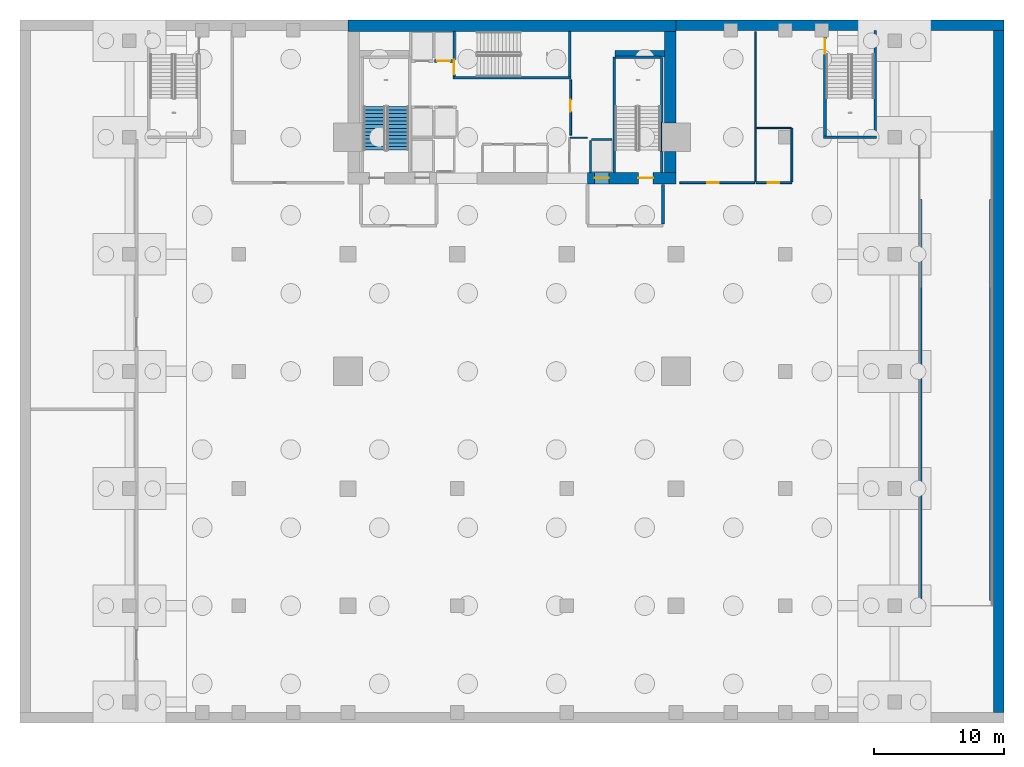
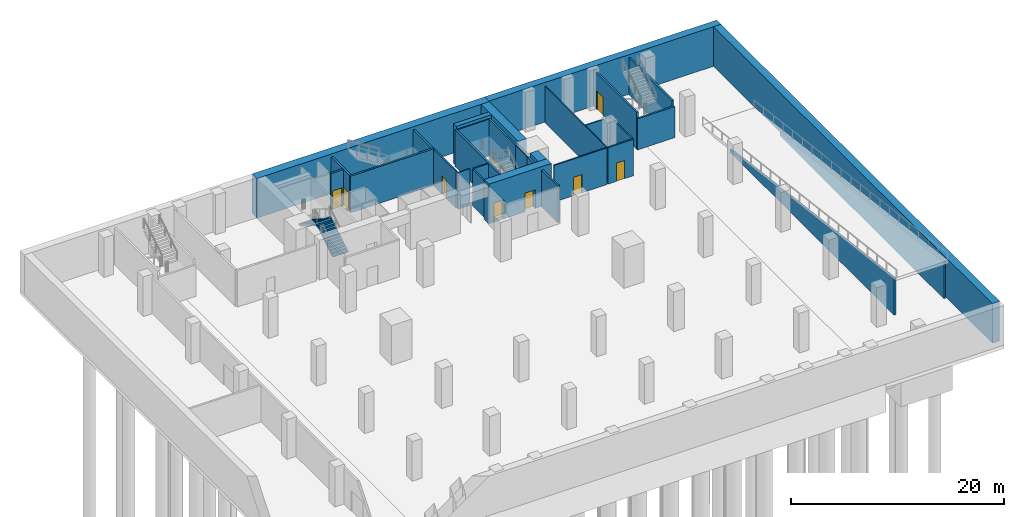
# One storey, part 4 of 9: 31 walls, 8 doors, 2 stair flights, 8 openings, 1 element without a shape of its own.
"""IFC4 building model written with IfcOpenShell, lengths in metres."""

from ifc_helpers import new_model, si_unit, direction, frame, frame_2d, origin, place, context, subcontext, project, spatial, polyline, rectangle, outline, extrude, material, layer, layer_set, type_object, element, fill, aggregate, save


model = new_model("IFC4")

# Units and contexts
model_context = context("Model", 3, precision=1e-05, world=origin(), true_north=direction((0.0, 1.0)))
body_context = subcontext(model_context, "Body", "Model", "MODEL_VIEW")
ifc_project = project(units=[si_unit("LENGTHUNIT", "METRE"), si_unit("AREAUNIT", "SQUARE_METRE"), si_unit("VOLUMEUNIT", "CUBIC_METRE"), si_unit("PLANEANGLEUNIT", "RADIAN"), si_unit("MASSUNIT", "GRAM", prefix="KILO")], contexts=[model_context])

# Site, building, storey
site_placement = place(None, origin())
site = spatial("IfcSite", under=ifc_project, at=site_placement, CompositionType="ELEMENT")
building_placement = place(site_placement, origin())
building = spatial("IfcBuilding", under=site, at=building_placement, Name="Maruvema Waterfront Hotel and Observation Tower", CompositionType="ELEMENT")
storey_placement = place(building_placement, frame((0.0, 0.0, -9.800048828125)))
storey = spatial("IfcBuildingStorey", under=building, at=storey_placement, Name="B02", CompositionType="ELEMENT", Elevation=-9.800048828125)

# Wall, opening, door
ifc_material_1 = material(Name="Twin-stud acoustic gypsum drywall", Category="gypsum")
ifc_layer_1 = layer(ifc_material_1, 0.14990234375, Name="Acoustic Corridor and Suite Demising Wall 150 mm")
ifc_layer_set_1 = layer_set([ifc_layer_1], Name="Twin-stud acoustic gypsum drywall")
wall_type_1 = type_object("IfcWallType", Name="Acoustic Corridor and Suite Demising Wall 150 mm", PredefinedType="PARTITIONING", material=ifc_layer_set_1)
wall_1_placement = place(storey_placement, frame((42.300048828125, 45.159912109375, 0.0), z_axis=(0.0, 0.0, 1.0), x_axis=(0.0, 1.0, 0.0)))
wall_1 = element("IfcWall", 1, at=wall_1_placement, inside=storey, type_object=wall_type_1, Name="B02 Basement Core Store Wall 017", PredefinedType="PARTITIONING", context=body_context, shape_type="SweptSolid", body=[
    extrude(rectangle(XDim=4.239990234375, YDim=0.14990234375, at=frame_2d((2.1201171875, 0.0))), origin(), (0.0, 0.0, 1.0), 4.199951171875),
])
opening_1_placement = place(wall_1_placement, frame((1.800048828125, 0.0, 0.0)))
opening_1 = element("IfcOpeningElement", 2, at=opening_1_placement, cuts=wall_1, Name="Opening DR-090", PredefinedType="OPENING", context=body_context, shape_type="SweptSolid", body=[
    extrude(rectangle(XDim=0.89990234375, YDim=2.10009765625, at=frame_2d((0.449951171875, 1.050048828125))), frame((0.0, 0.0849609375, 0.0), z_axis=(0.0, -1.0, 0.0), x_axis=(1.0, 0.0, 0.0)), (0.0, 0.0, 1.0), 0.169921875),
])
ifc_material_2 = material(Name="Solid-core lacquered timber leaf", Category="wood")
door_type_1 = type_object("IfcDoorType", Name="Accessible Toilet and Room Door 900x2100 mm", OperationType="NOTDEFINED", PredefinedType="DOOR", material=ifc_material_2)
door_1_placement = place(opening_1_placement, frame((0.89990234375, 0.0, 0.0), z_axis=(0.0, 0.0, 1.0), x_axis=(-1.0, 0.0, 0.0)))
door_1 = element("IfcDoor", 3, at=door_1_placement, inside=storey, type_object=door_type_1, Name="B02 Core Store Door", OperationType="SINGLE_SWING_RIGHT", OverallHeight=2.10009765625, OverallWidth=0.89990234375, PredefinedType="DOOR", context=body_context, shape_type="SweptSolid", body=[
    extrude(rectangle(XDim=0.89990234375, YDim=2.10009765625, at=frame_2d((0.449951171875, 1.050048828125))), frame((0.0, 0.02490234375, 0.0), z_axis=(0.0, -1.0, 0.0), x_axis=(1.0, 0.0, 0.0)), (0.0, 0.0, 1.0), 0.050048828125),
])
fill(opening_1, door_1)

wall_2_placement = place(storey_placement, frame((50.699951171875, 41.5, 0.0), z_axis=(0.0, 0.0, 1.0), x_axis=(1.0, 0.0, 0.0)))
wall_2 = element("IfcWall", 4, at=wall_2_placement, inside=storey, type_object=wall_type_1, Name="B02 B02 Bike Wall 022", PredefinedType="PARTITIONING", context=body_context, shape_type="SweptSolid", body=[
    extrude(rectangle(XDim=5.75, YDim=0.14990234375, at=frame_2d((2.875, 0.0))), origin(), (0.0, 0.0, 1.0), 4.199951171875),
])
opening_2_placement = place(wall_2_placement, frame((2.10009765625, 0.0, 0.0)))
opening_2 = element("IfcOpeningElement", 5, at=opening_2_placement, cuts=wall_2, Name="Opening DR-090", PredefinedType="OPENING", context=body_context, shape_type="SweptSolid", body=[
    extrude(rectangle(XDim=0.89990234375, YDim=2.10009765625, at=frame_2d((0.449951171875, 1.050048828125))), frame((0.0, 0.0849609375, 0.0), z_axis=(0.0, -1.0, 0.0), x_axis=(1.0, 0.0, 0.0)), (0.0, 0.0, 1.0), 0.169921875),
])
door_2_placement = place(opening_2_placement, frame((0.89990234375, 0.0, 0.0), z_axis=(0.0, 0.0, 1.0), x_axis=(-1.0, 0.0, 0.0)))
door_2 = element("IfcDoor", 6, at=door_2_placement, inside=storey, type_object=door_type_1, Name="B02 Bicycle Storage Door", OperationType="SINGLE_SWING_RIGHT", OverallHeight=2.10009765625, OverallWidth=0.89990234375, PredefinedType="DOOR", context=body_context, shape_type="SweptSolid", body=[
    extrude(rectangle(XDim=0.89990234375, YDim=2.10009765625, at=frame_2d((0.449951171875, 1.050048828125))), frame((0.0, 0.02490234375, 0.0), z_axis=(0.0, -1.0, 0.0), x_axis=(1.0, 0.0, 0.0)), (0.0, 0.0, 1.0), 0.050048828125),
])
fill(opening_2, door_2)

wall_3_placement = place(storey_placement, frame((56.550048828125, 41.5, 0.0), z_axis=(0.0, 0.0, 1.0), x_axis=(1.0, 0.0, 0.0)))
wall_3 = element("IfcWall", 7, at=wall_3_placement, inside=storey, type_object=wall_type_1, Name="B02 B02 WC Wall 023", PredefinedType="PARTITIONING", context=body_context, shape_type="SweptSolid", body=[
    extrude(rectangle(XDim=2.75, YDim=0.14990234375, at=frame_2d((1.375, 0.0))), origin(), (0.0, 0.0, 1.0), 4.199951171875),
])
opening_3_placement = place(wall_3_placement, frame((0.89990234375, 0.0, 0.0)))
opening_3 = element("IfcOpeningElement", 8, at=opening_3_placement, cuts=wall_3, Name="Opening DR-090", PredefinedType="OPENING", context=body_context, shape_type="SweptSolid", body=[
    extrude(rectangle(XDim=0.89990234375, YDim=2.10009765625, at=frame_2d((0.449951171875, 1.050048828125))), frame((0.0, 0.0849609375, 0.0), z_axis=(0.0, -1.0, 0.0), x_axis=(1.0, 0.0, 0.0)), (0.0, 0.0, 1.0), 0.169921875),
])
door_3_placement = place(opening_3_placement, frame((0.89990234375, 0.0, 0.0), z_axis=(0.0, 0.0, 1.0), x_axis=(-1.0, 0.0, 0.0)))
door_3 = element("IfcDoor", 9, at=door_3_placement, inside=storey, type_object=door_type_1, Name="B02 Accessible WC Door", OperationType="SINGLE_SWING_LEFT", OverallHeight=2.10009765625, OverallWidth=0.89990234375, PredefinedType="DOOR", context=body_context, shape_type="SweptSolid", body=[
    extrude(rectangle(XDim=0.89990234375, YDim=2.10009765625, at=frame_2d((0.449951171875, 1.050048828125))), frame((0.0, 0.02490234375, 0.0), z_axis=(0.0, -1.0, 0.0), x_axis=(1.0, 0.0, 0.0)), (0.0, 0.0, 1.0), 0.050048828125),
])
fill(opening_3, door_3)

# Walls
wall_4_placement = place(storey_placement, frame((59.300048828125, 41.580078125, 0.0), z_axis=(0.0, 0.0, 1.0), x_axis=(0.0, 1.0, 0.0)))
element("IfcWall", 10, at=wall_4_placement, inside=storey, type_object=wall_type_1, Name="B02 B02 WC East Wall 025", PredefinedType="PARTITIONING", context=body_context, shape_type="SweptSolid", body=[
    extrude(rectangle(XDim=4.119873046875, YDim=0.14990234375, at=frame_2d((2.06005859375, 0.0))), origin(), (0.0, 0.0, 1.0), 4.199951171875),
])
ifc_material_3 = material(Name="Concrete C60/75", Category="concrete")
ifc_layer_2 = layer(ifc_material_3, 0.800048828125, Name="Basement Retaining Diaphragm Wall 800 mm")
ifc_layer_set_2 = layer_set([ifc_layer_2], Name="Concrete C60/75")
wall_type_2 = type_object("IfcWallType", Name="Basement Retaining Diaphragm Wall 800 mm", PredefinedType="USERDEFINED", material=ifc_layer_set_2)
wall_5_placement = place(storey_placement, frame((50.39990234375, 53.60009765625, 0.0), z_axis=(0.0, 0.0, 1.0), x_axis=(1.0, 0.0, 0.0)))
element("IfcWall", 11, at=wall_5_placement, inside=storey, type_object=wall_type_2, Name="B02 North-East Retaining Diaphragm Wall 800 mm", ObjectType="RETAINING WALL", PredefinedType="USERDEFINED", context=body_context, shape_type="SweptSolid", body=[
    extrude(rectangle(XDim=25.2001953125, YDim=0.800048828125, at=frame_2d((12.60009765625, 0.0))), origin(), (0.0, 0.0, 1.0), 4.550048828125),
])
wall_6_placement = place(storey_placement, frame((75.199951171875, 0.800048828125, 0.0), z_axis=(0.0, 0.0, 1.0), x_axis=(0.0, 1.0, 0.0)))
element("IfcWall", 12, at=wall_6_placement, inside=storey, type_object=wall_type_2, Name="B02 East Retaining Diaphragm Wall 800 mm", ObjectType="RETAINING WALL", PredefinedType="USERDEFINED", context=body_context, shape_type="SweptSolid", body=[
    extrude(rectangle(XDim=52.39990234375, YDim=0.800048828125, at=frame_2d((26.199951171875, 0.0))), origin(), (0.0, 0.0, 1.0), 4.550048828125),
])
ifc_material_4 = material(Name="Precast concrete C45/55", Category="concrete")
ifc_layer_3 = layer(ifc_material_4, 0.199951171875, Name="Core Shaft and Stairwell Enclosure Wall 200 mm")
ifc_layer_set_3 = layer_set([ifc_layer_3], Name="Precast concrete C45/55")
wall_type_3 = type_object("IfcWallType", Name="Core Shaft and Stairwell Enclosure Wall 200 mm", PredefinedType="SOLIDWALL", material=ifc_layer_set_3)
wall_7_placement = place(storey_placement, frame((33.25, 49.550048828125, 0.0), z_axis=(0.0, 0.0, 1.0), x_axis=(1.0, 0.0, 0.0)))
element("IfcWall", 13, at=wall_7_placement, inside=storey, type_object=wall_type_3, Name="B02 Stairwell ST-02 Shaft Wall", PredefinedType="SOLIDWALL", context=body_context, shape_type="SweptSolid", body=[
    extrude(rectangle(XDim=9.10009765625, YDim=0.199951171875, at=frame_2d((4.550048828125, 0.0))), origin(), (0.0, 0.0, 1.0), 4.199951171875),
])
wall_8_placement = place(storey_placement, frame((42.25, 49.64990234375, 0.0), z_axis=(0.0, 0.0, 1.0), x_axis=(0.0, 1.0, 0.0)))
element("IfcWall", 14, at=wall_8_placement, inside=storey, type_object=wall_type_3, Name="B02 Stairwell ST-02 Shaft Wall", PredefinedType="SOLIDWALL", context=body_context, shape_type="SweptSolid", body=[
    extrude(rectangle(XDim=3.4501953125, YDim=0.199951171875, at=frame_2d((1.72509765625, 0.0))), origin(), (0.0, 0.0, 1.0), 4.199951171875),
])

# Wall, opening, door
wall_9_placement = place(storey_placement, frame((33.35009765625, 49.64990234375, 0.0), z_axis=(0.0, 0.0, 1.0), x_axis=(0.0, 1.0, 0.0)))
wall_9 = element("IfcWall", 15, at=wall_9_placement, inside=storey, type_object=wall_type_3, Name="B02 Stairwell ST-02 Shaft Wall", PredefinedType="SOLIDWALL", context=body_context, shape_type="SweptSolid", body=[
    extrude(rectangle(XDim=3.4501953125, YDim=0.199951171875, at=frame_2d((1.72509765625, 0.0))), origin(), (0.0, 0.0, 1.0), 4.199951171875),
])
opening_4_placement = place(wall_9_placement, frame((0.179931640625, 0.0, 0.0)))
opening_4 = element("IfcOpeningElement", 16, at=opening_4_placement, cuts=wall_9, Name="Opening SD-02", PredefinedType="OPENING", context=body_context, shape_type="SweptSolid", body=[
    extrude(rectangle(XDim=1.10009765625, YDim=2.14990234375, at=frame_2d((0.550048828125, 1.074951171875))), frame((0.0, 0.10986328125, 0.0), z_axis=(0.0, -1.0, 0.0), x_axis=(1.0, 0.0, 0.0)), (0.0, 0.0, 1.0), 0.219970703125),
])
ifc_material_5 = material(Name="Fire-rated galvanised steel leaf", Category="steel")
door_type_2 = type_object("IfcDoorType", Name="Central Exit Stair Fire Door 1100x2150 mm", OperationType="NOTDEFINED", PredefinedType="DOOR", material=ifc_material_5)
door_4_placement = place(opening_4_placement, frame((1.10009765625, 0.0, 0.0), z_axis=(0.0, 0.0, 1.0), x_axis=(-1.0, 0.0, 0.0)))
door_4 = element("IfcDoor", 17, at=door_4_placement, inside=storey, type_object=door_type_2, Name="B02 Exit Stair ST-02 Fire Door", OperationType="SINGLE_SWING_LEFT", OverallHeight=2.14990234375, OverallWidth=1.10009765625, PredefinedType="DOOR", context=body_context, shape_type="SweptSolid", body=[
    extrude(rectangle(XDim=1.10009765625, YDim=2.14990234375, at=frame_2d((0.550048828125, 1.074951171875))), frame((0.0, 0.02490234375, 0.0), z_axis=(0.0, -1.0, 0.0), x_axis=(1.0, 0.0, 0.0)), (0.0, 0.0, 1.0), 0.050048828125),
])
fill(opening_4, door_4)

# Walls
wall_10_placement = place(storey_placement, frame((45.64990234375, 42.300048828125, 0.0), z_axis=(0.0, 0.0, 1.0), x_axis=(0.0, 1.0, 0.0)))
element("IfcWall", 18, at=wall_10_placement, inside=storey, type_object=wall_type_3, Name="B02 Stairwell ST-03 West Shaft Wall", PredefinedType="SOLIDWALL", context=body_context, shape_type="SweptSolid", body=[
    extrude(rectangle(XDim=8.849853515625, YDim=0.199951171875, at=frame_2d((4.4248046875, 0.0))), origin(), (0.0, 0.0, 1.0), 4.199951171875),
])
wall_11_placement = place(storey_placement, frame((49.300048828125, 42.300048828125, 0.0), z_axis=(0.0, 0.0, 1.0), x_axis=(0.0, 1.0, 0.0)))
element("IfcWall", 19, at=wall_11_placement, inside=storey, type_object=wall_type_3, Name="B02 Stairwell ST-03 Shaft Lining Wall", PredefinedType="SOLIDWALL", context=body_context, shape_type="SweptSolid", body=[
    extrude(rectangle(XDim=1.579833984375, YDim=0.199951171875, at=frame_2d((0.7900390625, 0.0))), origin(), (0.0, 0.0, 1.0), 4.199951171875),
])
wall_12_placement = place(storey_placement, frame((49.300048828125, 46.1201171875, 0.0), z_axis=(0.0, 0.0, 1.0), x_axis=(0.0, 1.0, 0.0)))
element("IfcWall", 20, at=wall_12_placement, inside=storey, type_object=wall_type_3, Name="B02 Stairwell ST-03 Shaft Lining Wall", PredefinedType="SOLIDWALL", context=body_context, shape_type="SweptSolid", body=[
    extrude(rectangle(XDim=5.0, YDim=0.199951171875, at=frame_2d((2.5, 0.0))), origin(), (0.0, 0.0, 1.0), 4.199951171875),
])
wall_13_placement = place(storey_placement, frame((45.719970703125, 51.14990234375, 0.0), z_axis=(0.0, 0.0, 1.0), x_axis=(1.0, 0.0, 0.0)))
element("IfcWall", 21, at=wall_13_placement, inside=storey, type_object=wall_type_3, Name="B02 Stairwell ST-03 Shaft Lining Wall", PredefinedType="SOLIDWALL", context=body_context, shape_type="SweptSolid", body=[
    extrude(rectangle(XDim=3.5, YDim=0.199951171875, at=frame_2d((1.75, 0.0))), origin(), (0.0, 0.0, 1.0), 4.199951171875),
])
wall_14_placement = place(storey_placement, frame((61.75, 45.0, 0.0), z_axis=(0.0, 0.0, 1.0), x_axis=(1.0, 0.0, 0.0)))
element("IfcWall", 22, at=wall_14_placement, inside=storey, type_object=wall_type_3, Name="B02 Stairwell ST-05 Shaft Wall", PredefinedType="SOLIDWALL", context=body_context, shape_type="SweptSolid", body=[
    extrude(rectangle(XDim=4.050048828125, YDim=0.199951171875, at=frame_2d((2.02490234375, 0.0))), origin(), (0.0, 0.0, 1.0), 3.56494140625),
])

# Wall, opening, door
wall_15_placement = place(storey_placement, frame((61.85009765625, 45.10009765625, 0.0), z_axis=(0.0, 0.0, 1.0), x_axis=(0.0, 1.0, 0.0)))
wall_15 = element("IfcWall", 23, at=wall_15_placement, inside=storey, type_object=wall_type_3, Name="B02 Stairwell ST-05 Shaft Wall", PredefinedType="SOLIDWALL", context=body_context, shape_type="SweptSolid", body=[
    extrude(rectangle(XDim=8.099853515625, YDim=0.199951171875, at=frame_2d((4.0498046875, 0.0))), origin(), (0.0, 0.0, 1.0), 4.199951171875),
])
opening_5_placement = place(wall_15_placement, frame((6.320068359375, 0.0, 0.0)))
opening_5 = element("IfcOpeningElement", 24, at=opening_5_placement, cuts=wall_15, Name="Opening SD-01", PredefinedType="OPENING", context=body_context, shape_type="SweptSolid", body=[
    extrude(rectangle(XDim=1.14990234375, YDim=2.14990234375, at=frame_2d((0.574951171875, 1.074951171875))), frame((0.0, 0.10986328125, 0.0), z_axis=(0.0, -1.0, 0.0), x_axis=(1.0, 0.0, 0.0)), (0.0, 0.0, 1.0), 0.219970703125),
])
ifc_material_6 = material(Name="Fire-rated galvanised steel leaf", Category="steel")
door_type_3 = type_object("IfcDoorType", Name="Exit Stair Fire Door 1150x2150 mm", OperationType="NOTDEFINED", PredefinedType="DOOR", material=ifc_material_6)
door_5_placement = place(opening_5_placement, frame((1.14990234375, 0.0, 0.0), z_axis=(0.0, 0.0, 1.0), x_axis=(-1.0, 0.0, 0.0)))
door_5 = element("IfcDoor", 25, at=door_5_placement, inside=storey, type_object=door_type_3, Name="B02 Exit Stair ST-05 Fire Door", OperationType="SINGLE_SWING_LEFT", OverallHeight=2.14990234375, OverallWidth=1.14990234375, PredefinedType="DOOR", context=body_context, shape_type="SweptSolid", body=[
    extrude(rectangle(XDim=1.14990234375, YDim=2.14990234375, at=frame_2d((0.574951171875, 1.074951171875))), frame((0.0, 0.02490234375, 0.0), z_axis=(0.0, -1.0, 0.0), x_axis=(1.0, 0.0, 0.0)), (0.0, 0.0, 1.0), 0.050048828125),
])
fill(opening_5, door_5)

# Wall
wall_16_placement = place(storey_placement, frame((65.699951171875, 45.10009765625, 0.0), z_axis=(0.0, 0.0, 1.0), x_axis=(0.0, 1.0, 0.0)))
element("IfcWall", 26, at=wall_16_placement, inside=storey, type_object=wall_type_3, Name="B02 Stairwell ST-05 Shaft Wall", PredefinedType="SOLIDWALL", context=body_context, shape_type="SweptSolid", body=[
    extrude(rectangle(XDim=8.099853515625, YDim=0.199951171875, at=frame_2d((4.0498046875, 0.0))), origin(), (0.0, 0.0, 1.0), 4.199951171875),
])

# Wall, opening, door
wall_17_placement = place(storey_placement, frame((31.860107421875, 50.85009765625, 0.0), z_axis=(0.0, 0.0, 1.0), x_axis=(1.0, 0.0, 0.0)))
wall_17 = element("IfcWall", 27, at=wall_17_placement, inside=storey, type_object=wall_type_3, Name="B02 Lift LF-04 Hoistway Front Wall", PredefinedType="SOLIDWALL", context=body_context, shape_type="SweptSolid", body=[
    extrude(rectangle(XDim=1.3798828125, YDim=0.199951171875, at=frame_2d((0.68994140625, 0.0))), origin(), (0.0, 0.0, 1.0), 4.199951171875),
])
opening_6_placement = place(wall_17_placement, frame((0.18994140625, 0.0, 0.0)))
opening_6 = element("IfcOpeningElement", 28, at=opening_6_placement, cuts=wall_17, Name="Opening LD-01", PredefinedType="OPENING", context=body_context, shape_type="SweptSolid", body=[
    extrude(rectangle(XDim=1.0, YDim=2.14990234375, at=frame_2d((0.5, 1.074951171875))), frame((0.0, 0.10986328125, 0.0), z_axis=(0.0, -1.0, 0.0), x_axis=(1.0, 0.0, 0.0)), (0.0, 0.0, 1.0), 0.219970703125),
])
ifc_material_7 = material(Name="Brushed stainless steel Grade 316", Category="steel")
door_type_4 = type_object("IfcDoorType", Name="Passenger Lift Sliding Landing Door 1000x2150 mm", OperationType="SLIDING_TO_LEFT", PredefinedType="DOOR", material=ifc_material_7)
door_6_placement = place(opening_6_placement, frame((1.0, 0.0, 0.0), z_axis=(0.0, 0.0, 1.0), x_axis=(-1.0, 0.0, 0.0)))
door_6 = element("IfcDoor", 29, at=door_6_placement, inside=storey, type_object=door_type_4, Name="B02 Lift LF-04 Sliding Landing Door", OperationType="SLIDING_TO_LEFT", OverallHeight=2.14990234375, OverallWidth=1.0, PredefinedType="DOOR", context=body_context, shape_type="SweptSolid", body=[
    extrude(rectangle(XDim=1.0, YDim=2.14990234375, at=frame_2d((0.5, 1.074951171875))), frame((0.0, 0.02490234375, 0.0), z_axis=(0.0, -1.0, 0.0), x_axis=(1.0, 0.0, 0.0)), (0.0, 0.0, 1.0), 0.050048828125),
])
fill(opening_6, door_6)

# Walls
for number, where, z_axis, x_axis, name in (
    (30, (69.199951171875, 40.199951171875, 0.0), (0.0, 0.0, 1.0), (0.0, -1.0, 0.0), "B02 Vehicle Ramp RMP-02 W Support Wall"),
    (31, (74.60009765625, 40.199951171875, 0.0), (0.0, 0.0, 1.0), (0.0, -1.0, 0.0), "B02 Vehicle Ramp RMP-02 E Support Wall"),
):
    element("IfcWall", number, at=place(storey_placement, frame(where, z_axis=z_axis, x_axis=x_axis)), inside=storey, type_object=wall_type_3, Name=name, PredefinedType="SOLIDWALL", context=body_context, shape_type="SweptSolid", body=[
        extrude(outline(polyline([(0.0, 0.0), (30.800048828125, 0.0), (30.800048828125, 4.2099609375), (0.0, 0.360107421875), (0.0, 0.0)])), frame((0.0, 0.10009765625, 0.0), z_axis=(0.0, -1.0, 0.0), x_axis=(1.0, 0.0, 0.0)), (0.0, 0.0, 1.0), 0.199951171875),
    ])
ifc_material_8 = material(Name="Concrete C70/85", Category="concrete")
ifc_layer_4 = layer(ifc_material_8, 0.5, Name="Core Shear Wall 500 mm")
ifc_layer_set_4 = layer_set([ifc_layer_4], Name="Concrete C70/85")
wall_type_4 = type_object("IfcWallType", Name="Core Shear Wall 500 mm", PredefinedType="SHEAR", material=ifc_layer_set_4)
wall_18_placement = place(storey_placement, frame((45.699951171875, 51.39990234375, 0.0), z_axis=(0.0, 0.0, 1.0), x_axis=(1.0, 0.0, 0.0)))
element("IfcWall", 32, at=wall_18_placement, inside=storey, type_object=wall_type_4, Name="B02 Internal Core Shear Wall NE 500 mm", PredefinedType="SHEAR", context=body_context, shape_type="SweptSolid", body=[
    extrude(rectangle(XDim=3.800048828125, YDim=0.5, at=frame_2d((1.89990234375, 0.0))), origin(), (0.0, 0.0, 1.0), 4.550048828125),
])
ifc_material_9 = material(Name="Concrete C80/95", Category="concrete")
ifc_layer_5 = layer(ifc_material_9, 0.89990234375, Name="Core Shear Wall 900 mm")
ifc_layer_set_5 = layer_set([ifc_layer_5], Name="Concrete C80/95")
wall_type_5 = type_object("IfcWallType", Name="Core Shear Wall 900 mm", PredefinedType="SHEAR", material=ifc_layer_set_5)
wall_19_placement = place(storey_placement, frame((25.199951171875, 53.550048828125, 0.0), z_axis=(0.0, 0.0, 1.0), x_axis=(1.0, 0.0, 0.0)))
element("IfcWall", 33, at=wall_19_placement, inside=storey, type_object=wall_type_5, Name="B02 North Core Shear Wall", PredefinedType="SHEAR", context=body_context, shape_type="SweptSolid", body=[
    extrude(rectangle(XDim=25.199951171875, YDim=0.89990234375, at=frame_2d((12.60009765625, 0.0))), origin(), (0.0, 0.0, 1.0), 4.550048828125),
])

# Wall, openings, doors
wall_20_placement = place(storey_placement, frame((43.60009765625, 41.85009765625, 0.0), z_axis=(0.0, 0.0, 1.0), x_axis=(1.0, 0.0, 0.0)))
wall_20 = element("IfcWall", 34, at=wall_20_placement, inside=storey, type_object=wall_type_5, Name="B02 South-East Core Shear Wall", PredefinedType="SHEAR", context=body_context, shape_type="SweptSolid", body=[
    extrude(rectangle(XDim=6.7998046875, YDim=0.89990234375, at=frame_2d((3.39990234375, 0.0))), origin(), (0.0, 0.0, 1.0), 4.550048828125),
])
opening_7_placement = place(wall_20_placement, frame((3.89990234375, 0.0, 0.0)))
opening_7 = element("IfcOpeningElement", 35, at=opening_7_placement, cuts=wall_20, Name="Opening SD-01", PredefinedType="OPENING", context=body_context, shape_type="SweptSolid", body=[
    extrude(rectangle(XDim=1.14990234375, YDim=2.14990234375, at=frame_2d((0.574951171875, 1.074951171875))), frame((0.0, 0.4599609375, 0.0), z_axis=(0.0, -1.0, 0.0), x_axis=(1.0, 0.0, 0.0)), (0.0, 0.0, 1.0), 0.919921875),
])
opening_8_placement = place(wall_20_placement, frame((0.550048828125, 0.0, 0.0)))
opening_8 = element("IfcOpeningElement", 36, at=opening_8_placement, cuts=wall_20, Name="Opening LD-03", PredefinedType="OPENING", context=body_context, shape_type="SweptSolid", body=[
    extrude(rectangle(XDim=1.10009765625, YDim=2.199951171875, at=frame_2d((0.550048828125, 1.10009765625))), frame((0.0, 0.4599609375, 0.0), z_axis=(0.0, -1.0, 0.0), x_axis=(1.0, 0.0, 0.0)), (0.0, 0.0, 1.0), 0.919921875),
])
door_7_placement = place(opening_7_placement, origin())
door_7 = element("IfcDoor", 37, at=door_7_placement, inside=storey, type_object=door_type_3, Name="B02 Exit Stair ST-03 Fire Door", OperationType="SINGLE_SWING_RIGHT", OverallHeight=2.14990234375, OverallWidth=1.14990234375, PredefinedType="DOOR", context=body_context, shape_type="SweptSolid", body=[
    extrude(rectangle(XDim=1.14990234375, YDim=2.14990234375, at=frame_2d((0.574951171875, 1.074951171875))), frame((0.0, 0.02490234375, 0.0), z_axis=(0.0, -1.0, 0.0), x_axis=(1.0, 0.0, 0.0)), (0.0, 0.0, 1.0), 0.050048828125),
])
fill(opening_7, door_7)
ifc_material_10 = material(Name="Brushed stainless steel Grade 316", Category="steel")
door_type_5 = type_object("IfcDoorType", Name="Firefighting Lift Sliding Landing Door 1100x2200 mm", OperationType="SLIDING_TO_LEFT", PredefinedType="DOOR", material=ifc_material_10)
door_8_placement = place(opening_8_placement, frame((1.10009765625, 0.0, 0.0), z_axis=(0.0, 0.0, 1.0), x_axis=(-1.0, 0.0, 0.0)))
door_8 = element("IfcDoor", 38, at=door_8_placement, inside=storey, type_object=door_type_5, Name="B02 Firefighting Lift FL-02 Landing Door", OperationType="SLIDING_TO_LEFT", OverallHeight=2.199951171875, OverallWidth=1.10009765625, PredefinedType="DOOR", context=body_context, shape_type="SweptSolid", body=[
    extrude(rectangle(XDim=1.10009765625, YDim=2.199951171875, at=frame_2d((0.550048828125, 1.10009765625))), frame((0.0, 0.02490234375, 0.0), z_axis=(0.0, -1.0, 0.0), x_axis=(1.0, 0.0, 0.0)), (0.0, 0.0, 1.0), 0.050048828125),
])
fill(opening_8, door_8)

# Walls
wall_21_placement = place(storey_placement, frame((49.949951171875, 42.300048828125, 0.0), z_axis=(0.0, 0.0, 1.0), x_axis=(0.0, 1.0, 0.0)))
element("IfcWall", 39, at=wall_21_placement, inside=storey, type_object=wall_type_5, Name="B02 East-South Core Shear Wall", PredefinedType="SHEAR", context=body_context, shape_type="SweptSolid", body=[
    extrude(rectangle(XDim=1.599853515625, YDim=0.89990234375, at=frame_2d((0.7998046875, 0.0))), origin(), (0.0, 0.0, 1.0), 4.550048828125),
])
wall_22_placement = place(storey_placement, frame((49.949951171875, 46.10009765625, 0.0), z_axis=(0.0, 0.0, 1.0), x_axis=(0.0, 1.0, 0.0)))
element("IfcWall", 40, at=wall_22_placement, inside=storey, type_object=wall_type_5, Name="B02 East-North Core Shear Wall", PredefinedType="SHEAR", context=body_context, shape_type="SweptSolid", body=[
    extrude(rectangle(XDim=7.0, YDim=0.89990234375, at=frame_2d((3.5, 0.0))), origin(), (0.0, 0.0, 1.0), 4.550048828125),
])
ifc_material_11 = material(Name="Moisture-resistant cement-board drywall", Category="gypsum")
ifc_layer_6 = layer(ifc_material_11, 0.10009765625, Name="En-Suite Moisture-Resistant Partition 100 mm")
ifc_layer_set_6 = layer_set([ifc_layer_6], Name="Moisture-resistant cement-board drywall")
wall_type_6 = type_object("IfcWallType", Name="En-Suite Moisture-Resistant Partition 100 mm", PredefinedType="PARTITIONING", material=ifc_layer_set_6)
wall_23_placement = place(storey_placement, frame((42.280029296875, 44.9599609375, 0.0), z_axis=(0.0, 0.0, 1.0), x_axis=(1.0, 0.0, 0.0)))
element("IfcWall", 41, at=wall_23_placement, inside=storey, type_object=wall_type_6, Name="B02 Core Closet K1 North 011", PredefinedType="PARTITIONING", context=body_context, shape_type="SweptSolid", body=[
    extrude(rectangle(XDim=1.300048828125, YDim=0.10009765625, at=frame_2d((0.64990234375, 0.0))), origin(), (0.0, 0.0, 1.0), 4.199951171875),
])
wall_24_placement = place(storey_placement, frame((56.5, 41.580078125, 0.0), z_axis=(0.0, 0.0, 1.0), x_axis=(0.0, 1.0, 0.0)))
element("IfcWall", 42, at=wall_24_placement, inside=storey, type_object=wall_type_6, Name="B02 B02 Bike Split 024", PredefinedType="PARTITIONING", context=body_context, shape_type="SweptSolid", body=[
    extrude(rectangle(XDim=11.52001953125, YDim=0.10009765625, at=frame_2d((5.760009765625, 0.0))), origin(), (0.0, 0.0, 1.0), 4.199951171875),
])
wall_25_placement = place(storey_placement, frame((56.56005859375, 45.699951171875, 0.0), z_axis=(0.0, 0.0, 1.0), x_axis=(1.0, 0.0, 0.0)))
element("IfcWall", 43, at=wall_25_placement, inside=storey, type_object=wall_type_6, Name="B02 B02 WC North Wall 026", PredefinedType="PARTITIONING", context=body_context, shape_type="SweptSolid", body=[
    extrude(rectangle(XDim=2.679931640625, YDim=0.10009765625, at=frame_2d((1.33984375, 0.0))), origin(), (0.0, 0.0, 1.0), 4.199951171875),
])
ifc_material_12 = material(Name="Autoclaved cellular concrete blockwork", Category="masonry")
ifc_layer_7 = layer(ifc_material_12, 0.199951171875, Name="Fire Compartment Masonry Wall 200 mm")
ifc_layer_set_7 = layer_set([ifc_layer_7], Name="Autoclaved cellular concrete blockwork")
wall_type_7 = type_object("IfcWallType", Name="Fire Compartment Masonry Wall 200 mm", PredefinedType="PARTITIONING", material=ifc_layer_set_7)
wall_26_placement = place(storey_placement, frame((49.39990234375, 38.31005859375, 0.0), z_axis=(0.0, 0.0, 1.0), x_axis=(0.0, 1.0, 0.0)))
element("IfcWall", 44, at=wall_26_placement, inside=storey, type_object=wall_type_7, Name="B02 FFL East East Wall 006", PredefinedType="PARTITIONING", context=body_context, shape_type="SweptSolid", body=[
    extrude(rectangle(XDim=3.06982421875, YDim=0.199951171875, at=frame_2d((1.534912109375, 0.0))), origin(), (0.0, 0.0, 1.0), 4.199951171875),
])
ifc_material_13 = material(Name="Precast concrete C45/55", Category="concrete")
ifc_layer_8 = layer(ifc_material_13, 0.159912109375, Name="Lift Hoistway Divider Wall 160 mm")
ifc_layer_set_8 = layer_set([ifc_layer_8], Name="Precast concrete C45/55")
wall_type_8 = type_object("IfcWallType", Name="Lift Hoistway Divider Wall 160 mm", PredefinedType="SOLIDWALL", material=ifc_layer_set_8)
wall_27_placement = place(storey_placement, frame((43.89990234375, 44.830078125, 0.0), z_axis=(0.0, 0.0, 1.0), x_axis=(1.0, 0.0, 0.0)))
element("IfcWall", 45, at=wall_27_placement, inside=storey, type_object=wall_type_8, Name="B02 Lift FL-02 Rear Hoistway Wall", PredefinedType="SOLIDWALL", context=body_context, shape_type="SweptSolid", body=[
    extrude(rectangle(XDim=1.60009765625, YDim=0.159912109375, at=frame_2d((0.800048828125, 0.0))), origin(), (0.0, 0.0, 1.0), 4.199951171875),
])
wall_28_placement = place(storey_placement, frame((43.820068359375, 42.300048828125, 0.0), z_axis=(0.0, 0.0, 1.0), x_axis=(0.0, 1.0, 0.0)))
element("IfcWall", 46, at=wall_28_placement, inside=storey, type_object=wall_type_8, Name="B02 Lift FL-02 Inner Hoistway Wall", PredefinedType="SOLIDWALL", context=body_context, shape_type="SweptSolid", body=[
    extrude(rectangle(XDim=2.43994140625, YDim=0.159912109375, at=frame_2d((1.219970703125, 0.0))), origin(), (0.0, 0.0, 1.0), 4.199951171875),
])
ifc_material_14 = material(Name="Precast concrete C45/55", Category="concrete")
ifc_layer_9 = layer(ifc_material_14, 0.10009765625, Name="Stairwell Stringer Cheek Wall 100 mm")
ifc_layer_set_9 = layer_set([ifc_layer_9], Name="Precast concrete C45/55")
wall_type_9 = type_object("IfcWallType", Name="Stairwell Stringer Cheek Wall 100 mm", PredefinedType="SOLIDWALL", material=ifc_layer_set_9)
wall_29_placement = place(storey_placement, frame((49.248046875, 43.89990234375, 0.0), z_axis=(0.0, 0.0, 1.0), x_axis=(0.0, 1.0, 0.0)))
element("IfcWall", 47, at=wall_29_placement, inside=storey, type_object=wall_type_9, Name="B02 Stairwell ST-03 Mega-Column Cheek Wall", PredefinedType="SOLIDWALL", context=body_context, shape_type="SweptSolid", body=[
    extrude(rectangle(XDim=2.2001953125, YDim=0.10009765625, at=frame_2d((1.10009765625, 0.0))), origin(), (0.0, 0.0, 1.0), 4.199951171875),
])

# Stair, stair flights
ifc_material_15 = material(Name="Concrete C50/60", Category="concrete")
stair_type = type_object("IfcStairType", Name="Dogleg Exit Stair 1650 mm (26R x 175.0 mm)", PredefinedType="HALF_TURN_STAIR", material=ifc_material_15)
stair_placement = place(storey_placement, origin())
stair = element("IfcStair", 48, at=stair_placement, inside=storey, type_object=stair_type, Name="B02 ST-01", PredefinedType="HALF_TURN_STAIR")
ifc_material_16 = material(Name="Concrete C50/60", Category="concrete")
stair_flight_type = type_object("IfcStairFlightType", Name="Reinforced Concrete Stair Flight 1650 mm (13R x 175.0 mm)", PredefinedType="STRAIGHT", material=ifc_material_16)
stair_flight_1_placement = place(storey_placement, frame((29.02490234375, 44.0, 0.0), z_axis=(0.0, 0.0, 1.0), x_axis=(0.0, 1.0, 0.0)))
stair_flight_1 = element("IfcStairFlight", 49, at=stair_flight_1_placement, type_object=stair_flight_type, Name="ST-01 flight 1", NumberOfRisers=13, NumberOfTreads=12, PredefinedType="STRAIGHT", RiserHeight=0.175, TreadLength=0.28, context=body_context, shape_type="SweptSolid", body=[
    extrude(outline(polyline([(0.0, 0.0), (0.0, 0.175048828125), (0.280029296875, 0.175048828125), (0.280029296875, 0.35009765625), (0.56005859375, 0.35009765625), (0.56005859375, 0.52490234375), (0.840087890625, 0.52490234375), (0.840087890625, 0.699951171875), (1.1201171875, 0.699951171875), (1.1201171875, 0.875), (1.39990234375, 0.875), (1.39990234375, 1.050048828125), (1.679931640625, 1.050048828125), (1.679931640625, 1.22509765625), (1.9599609375, 1.22509765625), (1.9599609375, 1.39990234375), (2.239990234375, 1.39990234375), (2.239990234375, 1.574951171875), (2.52001953125, 1.574951171875), (2.52001953125, 1.75), (2.800048828125, 1.75), (2.800048828125, 1.925048828125), (3.080078125, 1.925048828125), (3.080078125, 2.10009765625), (3.360107421875, 2.10009765625), (3.360107421875, 2.27490234375), (3.360107421875, 1.92333984375), (0.28271484375, 0.0), (0.0, 0.0)])), frame((0.0, 0.824951171875, 0.0), z_axis=(0.0, -1.0, 0.0), x_axis=(1.0, 0.0, 0.0)), (0.0, 0.0, 1.0), 1.64990234375),
])
stair_flight_2_placement = place(storey_placement, frame((27.22509765625, 47.360107421875, 2.275146484375), z_axis=(0.0, 0.0, 1.0), x_axis=(0.0, -1.0, 0.0)))
stair_flight_2 = element("IfcStairFlight", 50, at=stair_flight_2_placement, type_object=stair_flight_type, Name="ST-01 flight 2", NumberOfRisers=13, NumberOfTreads=12, PredefinedType="STRAIGHT", RiserHeight=0.175, TreadLength=0.28, context=body_context, shape_type="SweptSolid", body=[
    extrude(outline(polyline([(0.0, 0.0), (0.0, 0.175048828125), (0.280029296875, 0.175048828125), (0.280029296875, 0.35009765625), (0.56005859375, 0.35009765625), (0.56005859375, 0.52490234375), (0.840087890625, 0.52490234375), (0.840087890625, 0.699951171875), (1.1201171875, 0.699951171875), (1.1201171875, 0.875), (1.39990234375, 0.875), (1.39990234375, 1.050048828125), (1.679931640625, 1.050048828125), (1.679931640625, 1.22509765625), (1.9599609375, 1.22509765625), (1.9599609375, 1.39990234375), (2.239990234375, 1.39990234375), (2.239990234375, 1.574951171875), (2.52001953125, 1.574951171875), (2.52001953125, 1.75), (2.800048828125, 1.75), (2.800048828125, 1.925048828125), (3.080078125, 1.925048828125), (3.080078125, 2.10009765625), (3.360107421875, 2.10009765625), (3.360107421875, 2.27490234375), (3.360107421875, 1.92333984375), (0.28271484375, 0.0), (0.0, 0.0)])), frame((0.0, 0.824951171875, 0.0), z_axis=(0.0, -1.0, 0.0), x_axis=(1.0, 0.0, 0.0)), (0.0, 0.0, 1.0), 1.64990234375),
])
aggregate(stair, [stair_flight_1, stair_flight_2])

save(model, "model.ifc")
